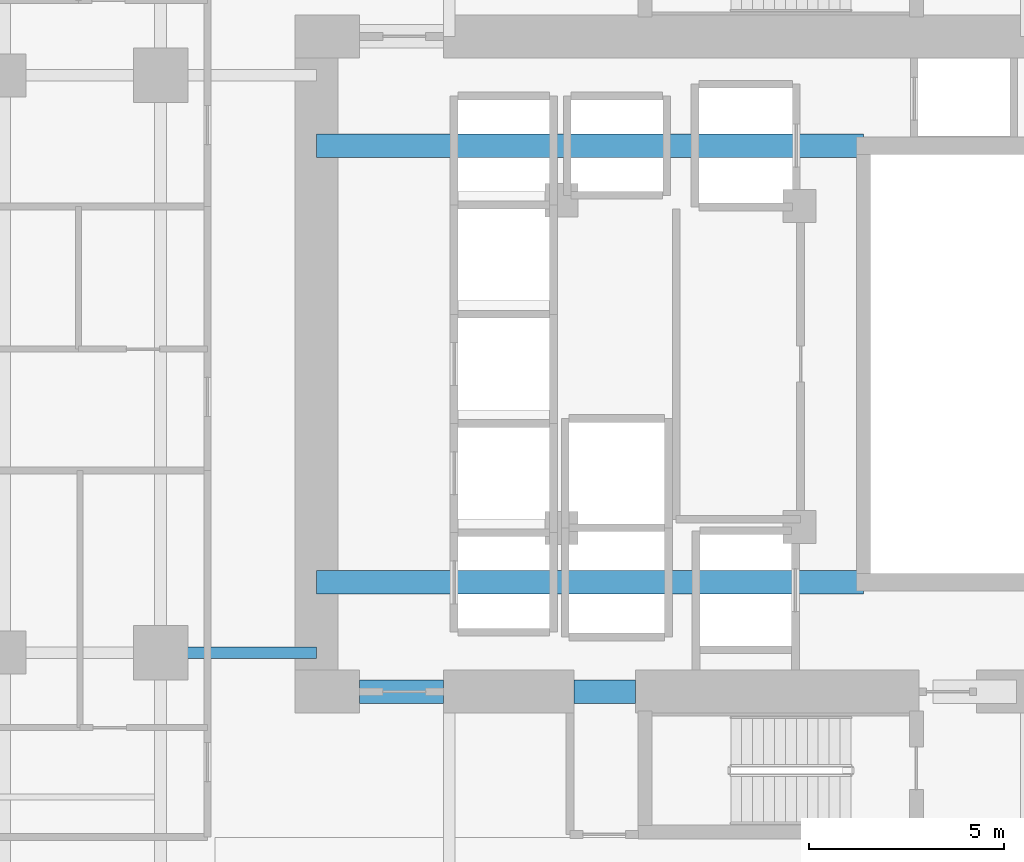
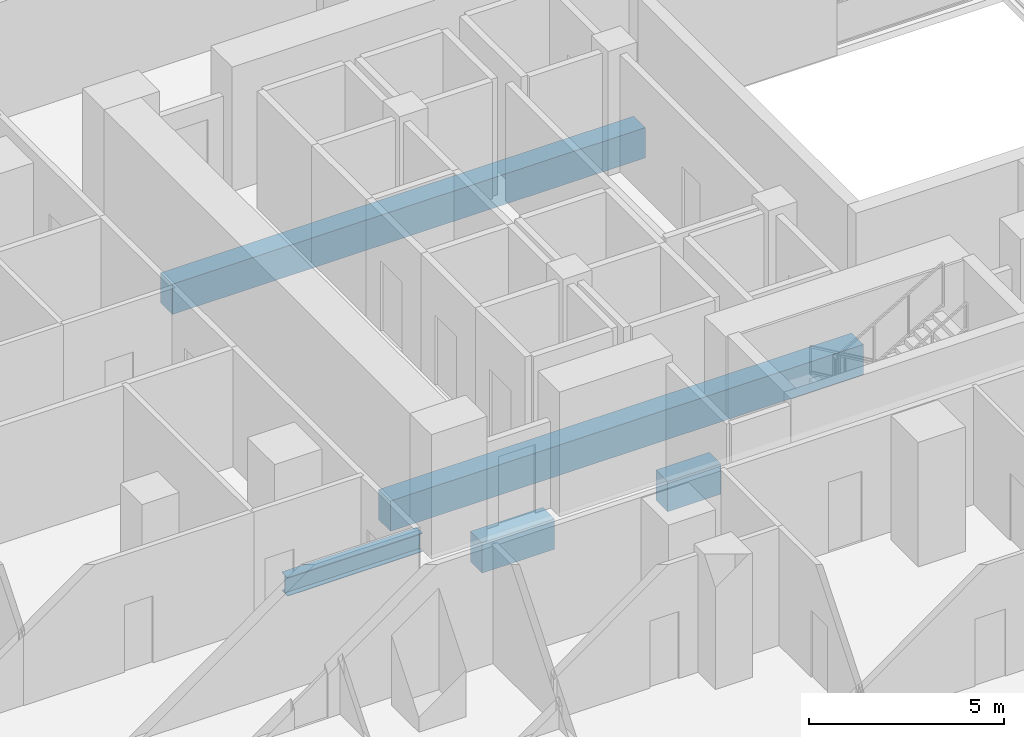
# One storey, part 7 of 29: 5 beams.
"""IFC4 building model written with IfcOpenShell, lengths in metres."""

from ifc_helpers import new_model, si_unit, direction, frame, origin, origin_2d, place, context, subcontext, project, spatial, rectangle, i_section, extrude, material, material_profile, profile_set, type_object, element, save


model = new_model("IFC4")

# Units and contexts
model_context = context("Model", 3, precision=1e-05, world=origin(), true_north=direction((0.0, 1.0)))
body_context = subcontext(model_context, "Body", "Model", "MODEL_VIEW")
ifc_project = project(units=[si_unit("LENGTHUNIT", "METRE"), si_unit("AREAUNIT", "SQUARE_METRE"), si_unit("VOLUMEUNIT", "CUBIC_METRE"), si_unit("PLANEANGLEUNIT", "RADIAN"), si_unit("MASSUNIT", "GRAM", prefix="KILO")], contexts=[model_context])

# Site, building, storey
site_placement = place(None, origin())
site = spatial("IfcSite", under=ifc_project, at=site_placement, CompositionType="ELEMENT")
building_placement = place(site_placement, origin())
building = spatial("IfcBuilding", under=site, at=building_placement, Name="Khorvyn Point Tower", CompositionType="ELEMENT")
storey_placement = place(building_placement, frame((0.0, 0.0, 61.800048828125)))
storey = spatial("IfcBuildingStorey", under=building, at=storey_placement, Name="L16", CompositionType="ELEMENT", Elevation=61.800048828125)

# Beams
ifc_material_1 = material(Name="Concrete C50/60", Category="concrete")
ifc_material_profile_1 = material_profile(ifc_material_1, rectangle(XDim=0.60009765625, YDim=0.949951171875, at=origin_2d()))
ifc_profile_set_1 = profile_set([ifc_material_profile_1], Name="Concrete C50/60 RC600x950")
beam_type_1 = type_object("IfcBeamType", Name="Concrete C50/60 Beam RC600x950", PredefinedType="BEAM", material=ifc_profile_set_1)
for number, where, z_axis, x_axis, name in (
    (1, (-10.800048828125, -5.60009765625, -0.695068359375), (1.0, 0.0, 0.0), (0.0, 1.0, 0.0), "L16 Core Internal Tie Girder S"),
    (2, (-10.800048828125, 5.60009765625, -0.695068359375), (1.0, 0.0, 0.0), (0.0, 1.0, 0.0), "L16 Core Internal Tie Girder N"),
):
    element("IfcBeam", number, at=place(storey_placement, frame(where, z_axis=z_axis, x_axis=x_axis)), inside=storey, type_object=beam_type_1, Name=name, PredefinedType="BEAM", context=body_context, shape_type="SweptSolid", body=[
        extrude(rectangle(XDim=0.60009765625, YDim=0.949951171875, at=origin_2d()), origin(), (0.0, 0.0, 1.0), 14.02001953125),
    ])
beam_1_placement = place(storey_placement, frame((-9.699951171875, -8.39990234375, -0.695068359375), z_axis=(1.0, 0.0, 0.0), x_axis=(0.0, 1.0, 0.0)))
element("IfcBeam", 3, at=beam_1_placement, inside=storey, type_object=beam_type_1, Name="L16 Core Southwest Portal Coupling Beam", PredefinedType="BEAM", context=body_context, shape_type="SweptSolid", body=[
    extrude(rectangle(XDim=0.60009765625, YDim=0.949951171875, at=origin_2d()), origin(), (0.0, 0.0, 1.0), 2.14990234375),
])
beam_2_placement = place(storey_placement, frame((-4.199951171875, -8.39990234375, -0.695068359375), z_axis=(1.0, 0.0, 0.0), x_axis=(0.0, 1.0, 0.0)))
element("IfcBeam", 4, at=beam_2_placement, inside=storey, type_object=beam_type_1, Name="L16 Core Shuttle Portal Coupling Beam", PredefinedType="BEAM", context=body_context, shape_type="SweptSolid", body=[
    extrude(rectangle(XDim=0.60009765625, YDim=0.949951171875, at=origin_2d()), origin(), (0.0, 0.0, 1.0), 1.579833984375),
])
ifc_material_2 = material(Name="Steel S355", Category="steel")
ifc_material_profile_2 = material_profile(ifc_material_2, i_section(OverallWidth=0.300048828125, OverallDepth=0.587890625, WebThickness=0.011962890625, FlangeThickness=0.02001953125, at=origin_2d()))
ifc_profile_set_2 = profile_set([ifc_material_profile_2], Name="Steel S355 H588x300x12x20")
beam_type_2 = type_object("IfcBeamType", Name="Steel S355 Beam H588x300x12x20", PredefinedType="BEAM", material=ifc_profile_set_2)
beam_3_placement = place(storey_placement, frame((-14.800048828125, -7.39990234375, -0.51416015625), z_axis=(1.0, 0.0, 0.0), x_axis=(0.0, 1.0, 0.0)))
element("IfcBeam", 5, at=beam_3_placement, inside=storey, type_object=beam_type_2, Name="Beam", PredefinedType="BEAM", context=body_context, shape_type="SweptSolid", body=[
    extrude(i_section(OverallWidth=0.300048828125, OverallDepth=0.587890625, WebThickness=0.011962890625, FlangeThickness=0.02001953125, at=origin_2d()), origin(), (0.0, 0.0, 1.0), 4.0),
])

save(model, "model.ifc")
